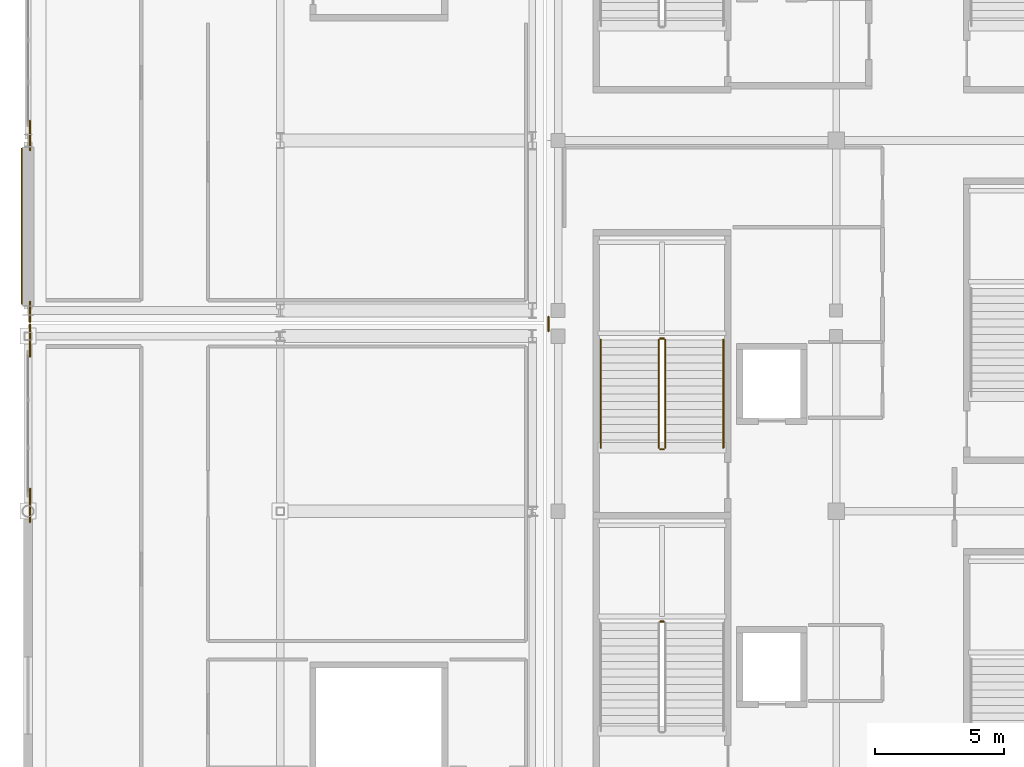
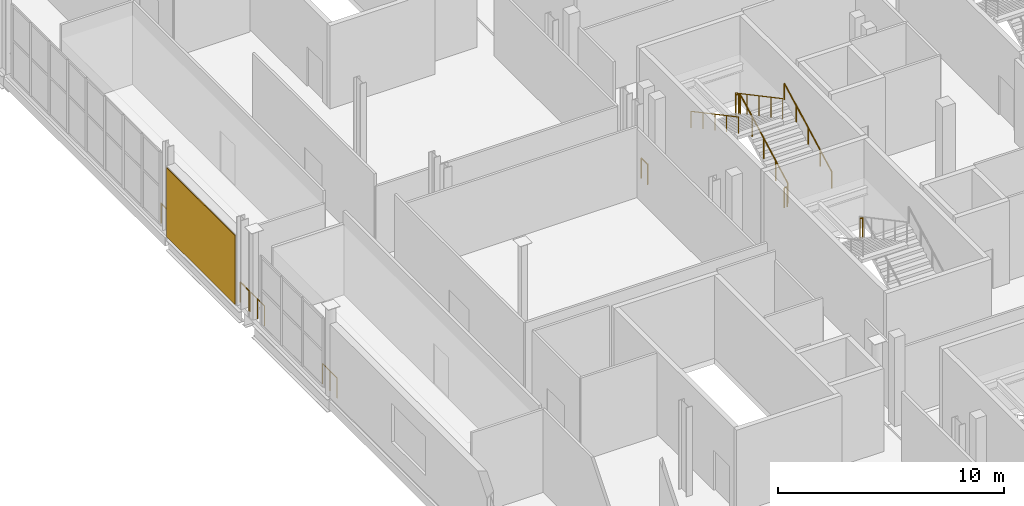
# One storey, part 119 of 142: 12 railings, 1 covering.
"""IFC4 building model written with IfcOpenShell, lengths in metres."""

from ifc_helpers import new_model, si_unit, direction, frame, origin, origin_2d, place, context, subcontext, project, spatial, rectangle, circle, extrude, material, layer, layer_set, type_object, element, save


model = new_model("IFC4")

# Units and contexts
model_context = context("Model", 3, precision=1e-05, world=origin(), true_north=direction((0.0, 1.0)))
body_context = subcontext(model_context, "Body", "Model", "MODEL_VIEW")
ifc_project = project(units=[si_unit("LENGTHUNIT", "METRE"), si_unit("AREAUNIT", "SQUARE_METRE"), si_unit("VOLUMEUNIT", "CUBIC_METRE"), si_unit("PLANEANGLEUNIT", "RADIAN"), si_unit("MASSUNIT", "GRAM", prefix="KILO")], contexts=[model_context])

# Site, building, storey
site_placement = place(None, origin())
site = spatial("IfcSite", under=ifc_project, at=site_placement, CompositionType="ELEMENT")
building_placement = place(site_placement, origin())
building = spatial("IfcBuilding", under=site, at=building_placement, Name="Koshinbarg Plaza Stadium", CompositionType="ELEMENT")
storey_placement = place(building_placement, frame((0.0, 0.0, 10.199951171875)))
storey = spatial("IfcBuildingStorey", under=building, at=storey_placement, Name="L02", CompositionType="ELEMENT", Elevation=10.199951171875)

# Covering
ifc_material_1 = material(Name="Terracotta-ochre pigmented mineral render facade cladding", Category="masonry")
ifc_layer = layer(ifc_material_1, 0.0400390625)
ifc_layer_set = layer_set([ifc_layer], Name="Terracotta-ochre pigmented mineral render facade cladding")
covering_type = type_object("IfcCoveringType", Name="COV-CLADDING-01", PredefinedType="CLADDING", material=ifc_layer_set)
covering_placement = place(storey_placement, frame((3.7548828125, 79.77001953125, 0.05029296875), z_axis=(0.0, 0.0, 1.0), x_axis=(0.0, 1.0, 0.0)))
element("IfcCovering", 1, at=covering_placement, inside=storey, type_object=covering_type, Name="L02 pigmented mineral facade cladding EWL-L02-0112", PredefinedType="CLADDING", context=body_context, shape_type="SweptSolid", body=[
    extrude(rectangle(XDim=6.070068359375, YDim=0.0400390625, at=origin_2d()), origin(), (0.0, 0.0, 1.0), 3.719970703125),
])

# Railings
ifc_material_2 = material(Name="Toughened laminated glass and stainless steel sightline balustrade", Category="steel")
railing_type_1 = type_object("IfcRailingType", Name="RL-BOWL-1100", PredefinedType="BALUSTRADE", material=ifc_material_2)
railing_1_placement = place(storey_placement, frame((24.22509765625, 75.699951171875, 0.0)))
element("IfcRailing", 2, at=railing_1_placement, inside=storey, type_object=railing_type_1, Name="L02 deck edge safety balustrade 0117", PredefinedType="BALUSTRADE", context=body_context, shape_type="SweptSolid", body=[
    extrude(circle(Radius=0.02392578125, at=origin_2d()), frame((0.0, 0.0, 1.076171875), z_axis=(0.0, 1.0, 0.0), x_axis=(-1.0, 0.0, 0.0)), (0.0, 0.0, 1.0), 0.550048828125),
    extrude(circle(Radius=0.02099609375, at=origin_2d()), origin(), (0.0, 0.0, 1.0), 1.052001953125),
    extrude(circle(Radius=0.02099609375, at=origin_2d()), frame((0.0, 0.550048828125, 0.0)), (0.0, 0.0, 1.0), 1.052001953125),
])
railing_2_placement = place(storey_placement, frame((4.080078125, 76.044921875, 0.0)))
element("IfcRailing", 3, at=railing_2_placement, inside=storey, type_object=railing_type_1, Name="L02 deck edge safety balustrade 0202", PredefinedType="BALUSTRADE", context=body_context, shape_type="SweptSolid", body=[
    extrude(circle(Radius=0.02392578125, at=origin_2d()), frame((0.0, 0.0, 1.076171875), z_axis=(0.0, 1.0, 0.0), x_axis=(-1.0, 0.0, 0.0)), (0.0, 0.0, 1.0), 0.797607421875),
    extrude(circle(Radius=0.02099609375, at=origin_2d()), origin(), (0.0, 0.0, 1.0), 1.052001953125),
    extrude(circle(Radius=0.02099609375, at=origin_2d()), frame((0.0, 0.797607421875, 0.0)), (0.0, 0.0, 1.0), 1.052001953125),
])
railing_3_placement = place(storey_placement, frame((4.080078125, 82.71728515625, 0.0)))
element("IfcRailing", 4, at=railing_3_placement, inside=storey, type_object=railing_type_1, Name="L02 deck edge safety balustrade 0203", PredefinedType="BALUSTRADE", context=body_context, shape_type="SweptSolid", body=[
    extrude(circle(Radius=0.02392578125, at=origin_2d()), frame((0.0, 0.0, 1.076171875), z_axis=(0.0, 1.0, 0.0), x_axis=(-1.0, 0.0, 0.0)), (0.0, 0.0, 1.0), 1.14697265625),
    extrude(circle(Radius=0.02099609375, at=origin_2d()), origin(), (0.0, 0.0, 1.0), 1.052001953125),
    extrude(circle(Radius=0.02099609375, at=origin_2d()), frame((0.0, 1.14697265625, 0.0)), (0.0, 0.0, 1.0), 1.052001953125),
])
railing_4_placement = place(storey_placement, frame((4.080078125, 68.274658203125, 0.0)))
element("IfcRailing", 5, at=railing_4_placement, inside=storey, type_object=railing_type_1, Name="L02 deck edge safety balustrade 0225", PredefinedType="BALUSTRADE", context=body_context, shape_type="SweptSolid", body=[
    extrude(circle(Radius=0.02392578125, at=origin_2d()), frame((0.0, 0.0, 1.076171875), z_axis=(0.0, 1.0, 0.0), x_axis=(-1.0, 0.0, 0.0)), (0.0, 0.0, 1.0), 1.297607421875),
    extrude(circle(Radius=0.02099609375, at=origin_2d()), origin(), (0.0, 0.0, 1.0), 1.052001953125),
    extrude(circle(Radius=0.02099609375, at=origin_2d()), frame((0.0, 0.64892578125, 0.0)), (0.0, 0.0, 1.0), 1.052001953125),
    extrude(circle(Radius=0.02099609375, at=origin_2d()), frame((0.0, 1.297607421875, 0.0)), (0.0, 0.0, 1.0), 1.052001953125),
])
railing_5_placement = place(storey_placement, frame((4.080078125, 74.707763671875, 0.0)))
element("IfcRailing", 6, at=railing_5_placement, inside=storey, type_object=railing_type_1, Name="L02 deck edge safety balustrade 0226", PredefinedType="BALUSTRADE", context=body_context, shape_type="SweptSolid", body=[
    extrude(circle(Radius=0.02392578125, at=origin_2d()), frame((0.0, 0.0, 1.076171875), z_axis=(0.0, 1.0, 0.0), x_axis=(-1.0, 0.0, 0.0)), (0.0, 0.0, 1.0), 1.247314453125),
    extrude(circle(Radius=0.02099609375, at=origin_2d()), origin(), (0.0, 0.0, 1.0), 1.052001953125),
    extrude(circle(Radius=0.02099609375, at=origin_2d()), frame((0.0, 0.62353515625, 0.0)), (0.0, 0.0, 1.0), 1.052001953125),
    extrude(circle(Radius=0.02099609375, at=origin_2d()), frame((0.0, 1.247314453125, 0.0)), (0.0, 0.0, 1.0), 1.052001953125),
])
ifc_material_3 = material(Name="Galvanized painted steel guardrail", Category="steel")
railing_type_2 = type_object("IfcRailingType", Name="RL-GUARD-1100", PredefinedType="GUARDRAIL", material=ifc_material_3)
railing_6_placement = place(storey_placement, frame((28.7099609375, 64.409912109375, 2.400146484375)))
element("IfcRailing", 7, at=railing_6_placement, inside=storey, type_object=railing_type_2, Name="L02 C03 stair guard 2", PredefinedType="GUARDRAIL", context=body_context, shape_type="SweptSolid", body=[
    extrude(circle(Radius=0.02392578125, at=origin_2d()), frame((0.0, 0.0, 1.076171875), z_axis=(-1.0, 0.0, 0.0), x_axis=(0.0, -1.0, 0.0)), (0.0, 0.0, 1.0), 0.14990234375),
    extrude(circle(Radius=0.02099609375, at=origin_2d()), origin(), (0.0, 0.0, 1.0), 1.052001953125),
    extrude(circle(Radius=0.02099609375, at=origin_2d()), frame((-0.14990234375, 0.0, 0.0)), (0.0, 0.0, 1.0), 1.052001953125),
])
railing_7_placement = place(storey_placement, frame((28.760009765625, 71.159912109375, 0.16015625)))
element("IfcRailing", 8, at=railing_7_placement, inside=storey, type_object=railing_type_2, Name="L02 C04 stair guard 1", PredefinedType="GUARDRAIL", context=body_context, shape_type="SweptSolid", body=[
    extrude(circle(Radius=0.02392578125, at=origin_2d()), frame((0.0, 0.0, 1.076171875), z_axis=(0.0, 0.882362879185, 0.470569601054), x_axis=(-1.0, 0.0, 0.0)), (0.0, 0.0, 1.0), 4.76025390625),
    extrude(circle(Radius=0.02099609375, at=origin_2d()), origin(), (0.0, 0.0, 1.0), 1.052001953125),
    extrude(circle(Radius=0.02099609375, at=origin_2d()), frame((0.0, 1.050048828125, 0.56005859375)), (0.0, 0.0, 1.0), 1.052001953125),
    extrude(circle(Radius=0.02099609375, at=origin_2d()), frame((0.0, 2.10009765625, 1.1201171875)), (0.0, 0.0, 1.0), 1.052001953125),
    extrude(circle(Radius=0.02099609375, at=origin_2d()), frame((0.0, 3.150146484375, 1.679931640625)), (0.0, 0.0, 1.0), 1.052001953125),
    extrude(circle(Radius=0.02099609375, at=origin_2d()), frame((0.0, 4.2001953125, 2.239990234375)), (0.0, 0.0, 1.0), 1.052001953125),
])
railing_8_placement = place(storey_placement, frame((28.7099609375, 75.409912109375, 2.400146484375)))
element("IfcRailing", 9, at=railing_8_placement, inside=storey, type_object=railing_type_2, Name="L02 C04 stair guard 2", PredefinedType="GUARDRAIL", context=body_context, shape_type="SweptSolid", body=[
    extrude(circle(Radius=0.02392578125, at=origin_2d()), frame((0.0, 0.0, 1.076171875), z_axis=(-1.0, 0.0, 0.0), x_axis=(0.0, -1.0, 0.0)), (0.0, 0.0, 1.0), 0.14990234375),
    extrude(circle(Radius=0.02099609375, at=origin_2d()), origin(), (0.0, 0.0, 1.0), 1.052001953125),
    extrude(circle(Radius=0.02099609375, at=origin_2d()), frame((-0.14990234375, 0.0, 0.0)), (0.0, 0.0, 1.0), 1.052001953125),
])
railing_9_placement = place(storey_placement, frame((28.510009765625, 75.360107421875, 2.56005859375)))
element("IfcRailing", 10, at=railing_9_placement, inside=storey, type_object=railing_type_2, Name="L02 C04 stair guard 3", PredefinedType="GUARDRAIL", context=body_context, shape_type="SweptSolid", body=[
    extrude(circle(Radius=0.02392578125, at=origin_2d()), frame((0.0, 0.0, 1.076171875), z_axis=(0.0, -0.882362879185, 0.470569601054), x_axis=(1.0, 0.0, 0.0)), (0.0, 0.0, 1.0), 4.76025390625),
    extrude(circle(Radius=0.02099609375, at=origin_2d()), origin(), (0.0, 0.0, 1.0), 1.052001953125),
    extrude(circle(Radius=0.02099609375, at=origin_2d()), frame((0.0, -1.050048828125, 0.56005859375)), (0.0, 0.0, 1.0), 1.052001953125),
    extrude(circle(Radius=0.02099609375, at=origin_2d()), frame((0.0, -2.10009765625, 1.1201171875)), (0.0, 0.0, 1.0), 1.052001953125),
    extrude(circle(Radius=0.02099609375, at=origin_2d()), frame((0.0, -3.150146484375, 1.679931640625)), (0.0, 0.0, 1.0), 1.052001953125),
    extrude(circle(Radius=0.02099609375, at=origin_2d()), frame((0.0, -4.2001953125, 2.239990234375)), (0.0, 0.0, 1.0), 1.052001953125),
])
railing_10_placement = place(storey_placement, frame((28.7099609375, 71.110107421875, 0.0)))
element("IfcRailing", 11, at=railing_10_placement, inside=storey, type_object=railing_type_2, Name="L02 C04 stair guard 4", PredefinedType="GUARDRAIL", context=body_context, shape_type="SweptSolid", body=[
    extrude(circle(Radius=0.02392578125, at=origin_2d()), frame((0.0, 0.0, 1.076171875), z_axis=(-1.0, 0.0, 0.0), x_axis=(0.0, -1.0, 0.0)), (0.0, 0.0, 1.0), 0.14990234375),
    extrude(circle(Radius=0.02099609375, at=origin_2d()), origin(), (0.0, 0.0, 1.0), 1.052001953125),
    extrude(circle(Radius=0.02099609375, at=origin_2d()), frame((-0.14990234375, 0.0, 0.0)), (0.0, 0.0, 1.0), 1.052001953125),
])
ifc_material_4 = material(Name="Brushed stainless steel handrail", Category="steel")
railing_type_3 = type_object("IfcRailingType", Name="RL-HAND-900", PredefinedType="HANDRAIL", material=ifc_material_4)
railing_11_placement = place(storey_placement, frame((31.02001953125, 71.159912109375, 0.16015625)))
element("IfcRailing", 12, at=railing_11_placement, inside=storey, type_object=railing_type_3, Name="L02 C04 stair handrail 1", PredefinedType="HANDRAIL", context=body_context, shape_type="SweptSolid", body=[
    extrude(circle(Radius=0.02392578125, at=origin_2d()), frame((0.0, 0.0, 0.8759765625), z_axis=(0.0, 0.882362879185, 0.470569601054), x_axis=(-1.0, 0.0, 0.0)), (0.0, 0.0, 1.0), 4.76025390625),
    extrude(circle(Radius=0.02099609375, at=origin_2d()), origin(), (0.0, 0.0, 1.0), 0.851806640625),
    extrude(circle(Radius=0.02099609375, at=origin_2d()), frame((0.0, 1.050048828125, 0.56005859375)), (0.0, 0.0, 1.0), 0.851806640625),
    extrude(circle(Radius=0.02099609375, at=origin_2d()), frame((0.0, 2.10009765625, 1.1201171875)), (0.0, 0.0, 1.0), 0.851806640625),
    extrude(circle(Radius=0.02099609375, at=origin_2d()), frame((0.0, 3.150146484375, 1.679931640625)), (0.0, 0.0, 1.0), 0.851806640625),
    extrude(circle(Radius=0.02099609375, at=origin_2d()), frame((0.0, 4.2001953125, 2.239990234375)), (0.0, 0.0, 1.0), 0.851806640625),
])
railing_12_placement = place(storey_placement, frame((26.25, 75.360107421875, 2.56005859375)))
element("IfcRailing", 13, at=railing_12_placement, inside=storey, type_object=railing_type_3, Name="L02 C04 stair handrail 2", PredefinedType="HANDRAIL", context=body_context, shape_type="SweptSolid", body=[
    extrude(circle(Radius=0.02392578125, at=origin_2d()), frame((0.0, 0.0, 0.8759765625), z_axis=(0.0, -0.882362879185, 0.470569601054), x_axis=(1.0, 0.0, 0.0)), (0.0, 0.0, 1.0), 4.76025390625),
    extrude(circle(Radius=0.02099609375, at=origin_2d()), origin(), (0.0, 0.0, 1.0), 0.851806640625),
    extrude(circle(Radius=0.02099609375, at=origin_2d()), frame((0.0, -1.050048828125, 0.56005859375)), (0.0, 0.0, 1.0), 0.851806640625),
    extrude(circle(Radius=0.02099609375, at=origin_2d()), frame((0.0, -2.10009765625, 1.1201171875)), (0.0, 0.0, 1.0), 0.851806640625),
    extrude(circle(Radius=0.02099609375, at=origin_2d()), frame((0.0, -3.150146484375, 1.679931640625)), (0.0, 0.0, 1.0), 0.851806640625),
    extrude(circle(Radius=0.02099609375, at=origin_2d()), frame((0.0, -4.2001953125, 2.239990234375)), (0.0, 0.0, 1.0), 0.851806640625),
])

save(model, "model.ifc")
